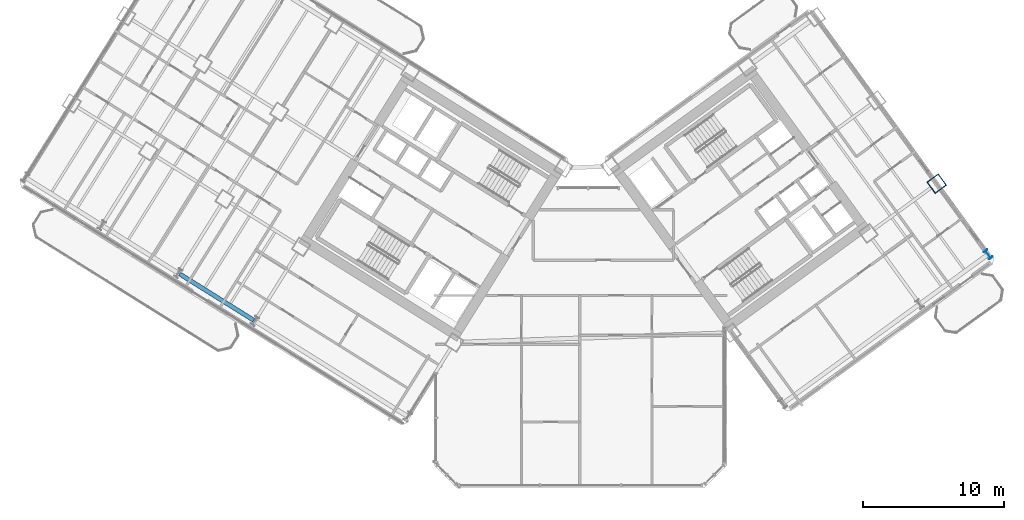
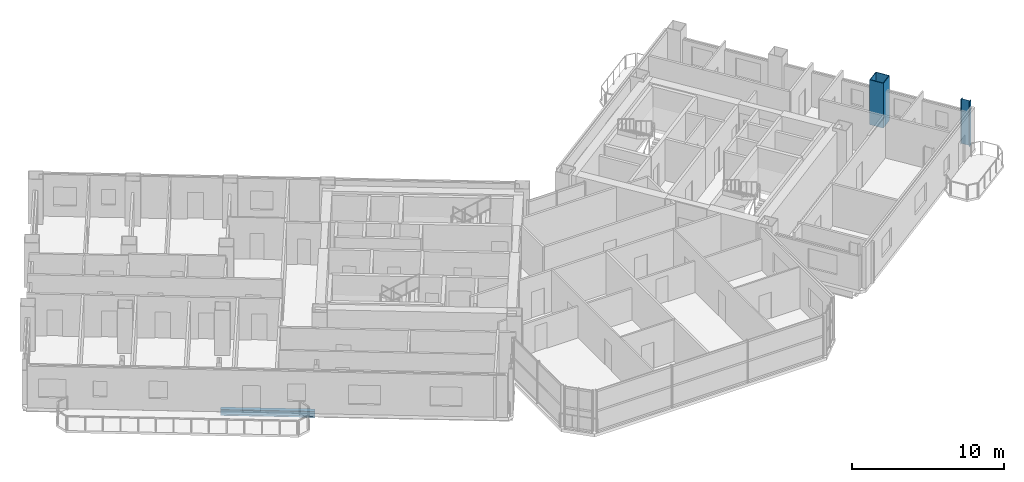
# One storey, part 4 of 28: 2 columns, 1 beam.
"""IFC4 building model written with IfcOpenShell, lengths in metres."""

from ifc_helpers import new_model, si_unit, direction, frame, origin, origin_2d, place, context, subcontext, project, spatial, hollow_rectangle, i_section, extrude, source, transform, mapped, material, material_profile, profile_set, type_object, element, save


model = new_model("IFC4")

# Units and contexts
model_context = context("Model", 3, precision=1e-05, world=origin(), true_north=direction((0.0, 1.0)))
body_context = subcontext(model_context, "Body", "Model", "MODEL_VIEW")
ifc_project = project(units=[si_unit("LENGTHUNIT", "METRE"), si_unit("AREAUNIT", "SQUARE_METRE"), si_unit("VOLUMEUNIT", "CUBIC_METRE"), si_unit("PLANEANGLEUNIT", "RADIAN"), si_unit("MASSUNIT", "GRAM", prefix="KILO")], contexts=[model_context])

# Site, building, storey
site_placement = place(None, origin())
site = spatial("IfcSite", under=ifc_project, at=site_placement, CompositionType="ELEMENT")
building_placement = place(site_placement, origin())
building = spatial("IfcBuilding", under=site, at=building_placement, Name="Tlacorven Tower", CompositionType="ELEMENT")
storey_placement = place(building_placement, frame((0.0, 0.0, 56.39990234375)))
storey = spatial("IfcBuildingStorey", under=building, at=storey_placement, Name="L14", CompositionType="ELEMENT", Elevation=56.39990234375)

# Columns
ifc_material_1 = material(Name="Steel S460M", Category="steel")
ifc_material_profile_1 = material_profile(ifc_material_1, hollow_rectangle(XDim=1.0, YDim=1.0, WallThickness=0.0400390625, at=origin_2d()), Name="BOX 1000X1000X40")
ifc_profile_set_1 = profile_set([ifc_material_profile_1], Name="Steel S460M")
column_type_1 = type_object("IfcColumnType", Name="COL-TWR-S1", PredefinedType="COLUMN", material=ifc_profile_set_1)
shared_shape_1 = source(origin(), body_context, "Body", "SweptSolid", [
    extrude(hollow_rectangle(XDim=1.0, YDim=1.0, WallThickness=0.0400390625, at=origin_2d()), origin(), (0.0, 0.0, 1.0), 3.60009765625),
])
column_1_placement = place(storey_placement, frame((67.267822265625, 23.353515625, 0.0), z_axis=(0.0, 0.0, 1.0), x_axis=(0.809016994375, 0.587785252292, 0.0)))
element("IfcColumn", 1, at=column_1_placement, inside=storey, type_object=column_type_1, Name="L14 column COL-L14-E4-2", PredefinedType="COLUMN", context=body_context, shape_type="MappedRepresentation", body=[
    mapped(shared_shape_1, transform((0.0, 0.0, 0.0), scale=1.0)),
])
ifc_material_profile_2 = material_profile(ifc_material_1, i_section(OverallWidth=0.300048828125, OverallDepth=0.64990234375, WebThickness=0.01611328125, FlangeThickness=0.031005859375, at=origin_2d()), Name="HEB 650")
ifc_profile_set_2 = profile_set([ifc_material_profile_2], Name="Steel S460M")
column_type_2 = type_object("IfcColumnType", Name="COL-TWR-P1", PredefinedType="COLUMN", material=ifc_profile_set_2)
shared_shape_2 = source(origin(), body_context, "Body", "SweptSolid", [
    extrude(i_section(OverallWidth=0.300048828125, OverallDepth=0.64990234375, WebThickness=0.01611328125, FlangeThickness=0.031005859375, at=origin_2d()), origin(), (0.0, 0.0, 1.0), 3.60009765625),
])
column_2_placement = place(storey_placement, frame((70.911865234375, 18.337646484375, 0.0), z_axis=(0.0, 0.0, 1.0), x_axis=(0.809016994375, 0.587785252292, 0.0)))
element("IfcColumn", 2, at=column_2_placement, inside=storey, type_object=column_type_2, Name="L14 column COL-L14-E4-1", PredefinedType="COLUMN", context=body_context, shape_type="MappedRepresentation", body=[
    mapped(shared_shape_2, transform((0.0, 0.0, 0.0), scale=1.0)),
])

# Beam
ifc_material_2 = material(Name="Steel S355J2", Category="steel")
ifc_material_profile_3 = material_profile(ifc_material_2, i_section(OverallWidth=0.300048828125, OverallDepth=0.489990234375, WebThickness=0.011962890625, FlangeThickness=0.02294921875, at=origin_2d()), Name="HEA 500")
ifc_profile_set_3 = profile_set([ifc_material_profile_3], Name="Steel S355J2")
beam_type = type_object("IfcBeamType", Name="BM-SPN-500", PredefinedType="SPANDREL", material=ifc_profile_set_3)
shared_shape_3 = source(origin(), body_context, "Body", "SweptSolid", [
    extrude(i_section(OverallWidth=0.300048828125, OverallDepth=0.489990234375, WebThickness=0.011962890625, FlangeThickness=0.02294921875, at=origin_2d()), origin(), (0.0, 0.0, 1.0), 6.199951171875),
])
beam_placement = place(storey_placement, frame((18.82080078125, 13.6650390625, -0.494873046875), z_axis=(-0.848051394107, 0.529913986372, 0.0), x_axis=(-0.529913986372, -0.848051394107, 0.0)))
element("IfcBeam", 3, at=beam_placement, inside=storey, type_object=beam_type, Name="L14 beam BM-L14-WL4-3", PredefinedType="SPANDREL", context=body_context, shape_type="MappedRepresentation", body=[
    mapped(shared_shape_3, transform((0.0, 0.0, 0.0), scale=1.0)),
])

save(model, "model.ifc")
